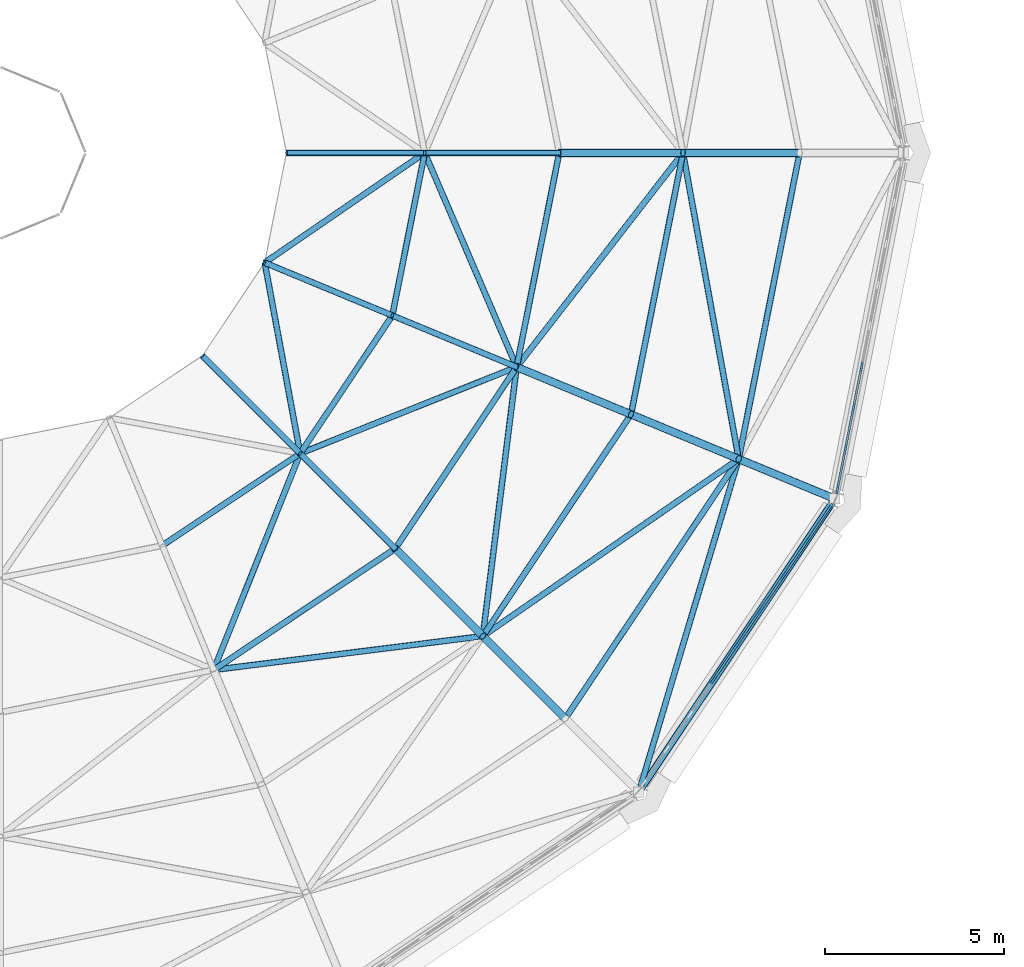
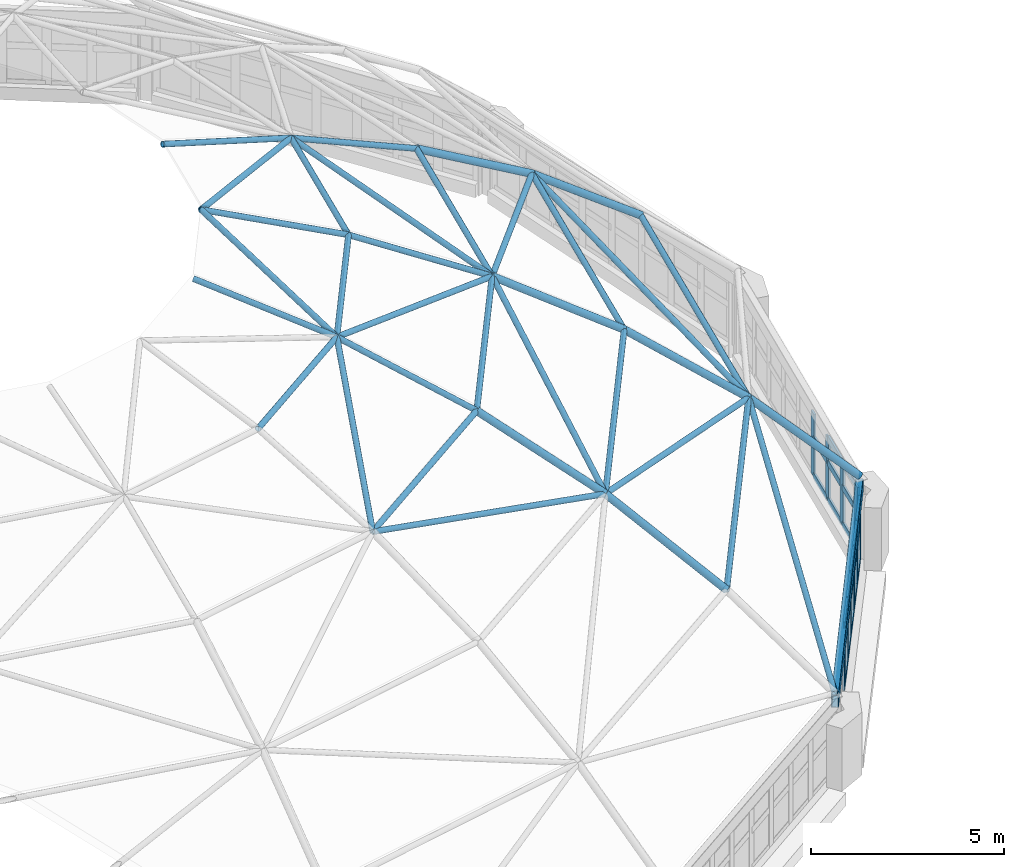
# One storey, part 21 of 68: 67 members, 1 beam, 2 elements without a shape of their own.
"""IFC4 building model written with IfcOpenShell, lengths in metres."""

from ifc_helpers import new_model, si_unit, direction, frame, origin, origin_2d, place, context, subcontext, project, spatial, rectangle, hollow_rectangle, hollow_circle, extrude, material, material_profile, profile_set, type_object, element, aggregate, save


model = new_model("IFC4")

# Units and contexts
model_context = context("Model", 3, precision=1e-05, world=origin(), true_north=direction((0.0, 1.0)))
body_context = subcontext(model_context, "Body", "Model", "MODEL_VIEW")
ifc_project = project(units=[si_unit("LENGTHUNIT", "METRE"), si_unit("AREAUNIT", "SQUARE_METRE"), si_unit("VOLUMEUNIT", "CUBIC_METRE"), si_unit("PLANEANGLEUNIT", "RADIAN"), si_unit("MASSUNIT", "GRAM", prefix="KILO")], contexts=[model_context])

# Site, building, storey
site_placement = place(None, origin())
site = spatial("IfcSite", under=ifc_project, at=site_placement, CompositionType="ELEMENT")
building_placement = place(site_placement, origin())
building = spatial("IfcBuilding", under=site, at=building_placement, Name="Kupolbacken Congress Centre", CompositionType="ELEMENT")
storey_placement = place(building_placement, frame((0.0, 0.0, 25.199951171875)))
storey = spatial("IfcBuildingStorey", under=building, at=storey_placement, Name="L07", CompositionType="ELEMENT", Elevation=25.199951171875)

# Beam
ifc_material_1 = material(Name="Steel S355", Category="steel")
ifc_material_profile_1 = material_profile(ifc_material_1, hollow_rectangle(XDim=0.199951171875, YDim=0.39990234375, WallThickness=0.012451171875, InnerFilletRadius=0.012451171875, OuterFilletRadius=0.018798828125, at=origin_2d()), Name="RHS 400 x 200 x 12.5")
ifc_profile_set_1 = profile_set([ifc_material_profile_1], Name="Steel S355")
beam_type = type_object("IfcBeamType", Name="B19 ring beam RHS 400 x 200 x 12.5", PredefinedType="BEAM", material=ifc_profile_set_1)
beam_placement = place(storey_placement, frame((61.030029296875, 68.597412109375, 2.590087890625), z_axis=(0.555580130477, 0.831462998948, 0.0), x_axis=(-0.831462998948, 0.555580130477, 0.0)))
element("IfcBeam", 1, at=beam_placement, inside=storey, type_object=beam_type, Name="DM/RB/15", PredefinedType="BEAM", context=body_context, shape_type="SweptSolid", body=[
    extrude(hollow_rectangle(XDim=0.199951171875, YDim=0.39990234375, WallThickness=0.012451171875, InnerFilletRadius=0.012451171875, OuterFilletRadius=0.018798828125, at=origin_2d()), origin(), (0.0, 0.0, 1.0), 9.792724609375),
])

# Members
ifc_material_2 = material(Name="Steel S355", Category="steel")
ifc_material_profile_2 = material_profile(ifc_material_2, hollow_circle(Radius=0.109619140625, WallThickness=0.010009765625, at=origin_2d()), Name="CHS 219.1 x 10")
ifc_profile_set_2 = profile_set([ifc_material_profile_2], Name="Steel S355")
member_type_1 = type_object("IfcMemberType", Name="M15 dome rib CHS 219.1 x 10", PredefinedType="BRACE", material=ifc_profile_set_2)
member_1_placement = place(storey_placement, frame((66.481689453125, 76.75634765625, 2.86279296875), z_axis=(-0.671844865625, 0.278312990626, 0.686415585328), x_axis=(-0.382713638863, -0.923867019992, 0.0)))
element("IfcMember", 2, at=member_1_placement, inside=storey, type_object=member_type_1, Name="DM/RIB01-16", PredefinedType="BRACE", context=body_context, shape_type="SweptSolid", body=[
    extrude(hollow_circle(Radius=0.109619140625, WallThickness=0.010009765625, at=origin_2d()), origin(), (0.0, 0.0, 1.0), 3.98779296875),
])
for number, where, z_axis, x_axis, name in (
    (3, (65.5, 86.39990234375, 5.60009765625), (-0.798529155013, 0.0, 0.601956135108), (0.0, -1.0, 0.0), "DM/RIB02-01"),
    (4, (58.968505859375, 70.631591796875, 5.60009765625), (-0.564645261565, 0.564645261565, 0.601956358207), (-0.707106781187, -0.707106781187, 0.0), "DM/RIB02-15"),
    (5, (63.802490234375, 77.8662109375, 5.60009765625), (-0.737757183108, 0.305564280897, 0.601950836043), (-0.382656976802, -0.92389049032, 0.0), "DM/RIB02-16"),
):
    element("IfcMember", number, at=place(storey_placement, frame(where, z_axis=z_axis, x_axis=x_axis)), inside=storey, type_object=member_type_1, Name=name, PredefinedType="BRACE", context=body_context, shape_type="SweptSolid", body=[
        extrude(hollow_circle(Radius=0.109619140625, WallThickness=0.010009765625, at=origin_2d()), origin(), (0.0, 0.0, 1.0), 4.070068359375),
    ])
for number, where, z_axis, x_axis, name in (
    (6, (62.25, 86.39990234375, 8.050048828125), (-0.865136921549, 0.0, 0.501535748449), (0.0, -1.0, 0.0), "DM/RIB03-01"),
    (7, (56.67041015625, 72.9296875, 8.050048828125), (-0.611742244633, 0.611742244633, 0.501540479187), (-0.707106781187, -0.707106781187, 0.0), "DM/RIB03-15"),
    (8, (60.7998046875, 79.10986328125, 8.050048828125), (-0.799269872687, 0.331095478475, 0.50154107982), (-0.382710127237, -0.923868474682, 0.0), "DM/RIB03-16"),
):
    element("IfcMember", number, at=place(storey_placement, frame(where, z_axis=z_axis, x_axis=x_axis)), inside=storey, type_object=member_type_1, Name=name, PredefinedType="BRACE", context=body_context, shape_type="SweptSolid", body=[
        extrude(hollow_circle(Radius=0.109619140625, WallThickness=0.010009765625, at=origin_2d()), origin(), (0.0, 0.0, 1.0), 3.98779296875),
    ])
ifc_material_3 = material(Name="Steel S355", Category="steel")
ifc_material_profile_3 = material_profile(ifc_material_3, hollow_circle(Radius=0.084228515625, WallThickness=0.008056640625, at=origin_2d()), Name="CHS 168.3 x 8")
ifc_profile_set_3 = profile_set([ifc_material_profile_3], Name="Steel S355")
member_type_2 = type_object("IfcMemberType", Name="M16 dome rib CHS 168.3 x 8", PredefinedType="BRACE", material=ifc_profile_set_3)
for number, where, z_axis, x_axis, name in (
    (9, (58.800048828125, 86.39990234375, 10.050048828125), (-0.91532381914, 0.0, 0.402718643864), (0.0, -1.0, 0.0), "DM/RIB04-01"),
    (10, (54.23095703125, 75.369140625, 10.050048828125), (-0.647264758158, 0.647205168326, 0.402708086507), (-0.707074229373, -0.707139331502, 0.0), "DM/RIB04-15"),
    (11, (57.612548828125, 80.43017578125, 10.050048828125), (-0.845652822818, 0.350274631282, 0.402714521641), (-0.382677616283, -0.92388194159, 0.0), "DM/RIB04-16"),
):
    element("IfcMember", number, at=place(storey_placement, frame(where, z_axis=z_axis, x_axis=x_axis)), inside=storey, type_object=member_type_2, Name=name, PredefinedType="BRACE", context=body_context, shape_type="SweptSolid", body=[
        extrude(hollow_circle(Radius=0.084228515625, WallThickness=0.008056640625, at=origin_2d()), origin(), (0.0, 0.0, 1.0), 4.096923828125),
    ])
member_2_placement = place(storey_placement, frame((55.050048828125, 86.39990234375, 11.699951171875), z_axis=(-0.958160086382, 0.0, 0.286232857765), x_axis=(0.0, -1.0, 0.0)))
element("IfcMember", 12, at=member_2_placement, inside=storey, type_object=member_type_2, Name="DM/RIB05-01", PredefinedType="BRACE", context=body_context, shape_type="SweptSolid", body=[
    extrude(hollow_circle(Radius=0.084228515625, WallThickness=0.008056640625, at=origin_2d()), origin(), (0.0, 0.0, 1.0), 4.018310546875),
])
for number, where, z_axis, x_axis, name in (
    (13, (51.5791015625, 78.020751953125, 11.699951171875), (-0.677488256069, 0.677549017347, 0.286246383349), (-0.707138487878, -0.707075073073, 0.0), "DM/RIB05-15"),
    (14, (54.14794921875, 81.865234375, 11.699951171875), (-0.885215241603, 0.366687760524, 0.28624126592), (-0.382700894154, -0.923872299408, 0.0), "DM/RIB05-16"),
):
    element("IfcMember", number, at=place(storey_placement, frame(where, z_axis=z_axis, x_axis=x_axis)), inside=storey, type_object=member_type_2, Name=name, PredefinedType="BRACE", context=body_context, shape_type="SweptSolid", body=[
        extrude(hollow_circle(Radius=0.084228515625, WallThickness=0.008056640625, at=origin_2d()), origin(), (0.0, 0.0, 1.0), 4.01806640625),
    ])
member_3_placement = place(storey_placement, frame((61.01904296875, 68.580810546875, 2.86279296875), z_axis=(0.276336050496, 0.921839225376, 0.271755091497), x_axis=(-0.957887956572, 0.287142234188, 0.0)))
element("IfcMember", 15, at=member_3_placement, inside=storey, type_object=member_type_2, Name="DM/DIA01-15", PredefinedType="BRACE", context=body_context, shape_type="SweptSolid", body=[
    extrude(hollow_circle(Radius=0.084228515625, WallThickness=0.008056640625, at=origin_2d()), origin(), (0.0, 0.0, 1.0), 10.07275390625),
])
for number, where, z_axis, x_axis, name in (
    (16, (56.67041015625, 72.9296875, 8.050048828125), (0.791291238363, 0.547698245292, -0.271817600964), (-0.569126549041, 0.822249944467, 0.0), "DM/DIA02-15"),
    (17, (63.802490234375, 77.8662109375, 5.60009765625), (-0.172247769717, 0.946807444988, 0.271820470059), (-0.983851440404, -0.178986991747, 0.0), "DM/DIA02-16"),
):
    element("IfcMember", number, at=place(storey_placement, frame(where, z_axis=z_axis, x_axis=x_axis)), inside=storey, type_object=member_type_2, Name=name, PredefinedType="BRACE", context=body_context, shape_type="SweptSolid", body=[
        extrude(hollow_circle(Radius=0.084228515625, WallThickness=0.008056640625, at=origin_2d()), origin(), (0.0, 0.0, 1.0), 9.01318359375),
    ])
for number, where, z_axis, x_axis, name in (
    (18, (49.169921875, 71.987548828125, 10.050048828125), (0.959200155943, 0.120485430694, -0.255770056555), (-0.124630949322, 0.99220316794, 0.0), "DM/DIA03-14"),
    (19, (56.67041015625, 72.9296875, 8.050048828125), (0.120485430694, 0.959200155943, 0.255770056555), (-0.99220316794, 0.124630949322, 0.0), "DM/DIA03-15"),
):
    element("IfcMember", number, at=place(storey_placement, frame(where, z_axis=z_axis, x_axis=x_axis)), inside=storey, type_object=member_type_2, Name=name, PredefinedType="BRACE", context=body_context, shape_type="SweptSolid", body=[
        extrude(hollow_circle(Radius=0.084228515625, WallThickness=0.008056640625, at=origin_2d()), origin(), (0.0, 0.0, 1.0), 7.819580078125),
    ])
member_4_placement = place(storey_placement, frame((57.612548828125, 80.43017578125, 10.050048828125), z_axis=(0.593067175344, 0.76344714775, -0.255772903418), x_axis=(-0.789715539593, 0.613473199516, 0.0)))
element("IfcMember", 20, at=member_4_placement, inside=storey, type_object=member_type_2, Name="DM/DIA03-16", PredefinedType="BRACE", context=body_context, shape_type="SweptSolid", body=[
    extrude(hollow_circle(Radius=0.084228515625, WallThickness=0.008056640625, at=origin_2d()), origin(), (0.0, 0.0, 1.0), 7.8193359375),
])
member_5_placement = place(storey_placement, frame((49.169921875, 71.987548828125, 10.050048828125), z_axis=(0.359435502637, 0.900118579364, 0.246155768831), x_axis=(-0.928694240238, 0.370846340347, 0.0)))
element("IfcMember", 21, at=member_5_placement, inside=storey, type_object=member_type_2, Name="DM/DIA04-14", PredefinedType="BRACE", context=body_context, shape_type="SweptSolid", body=[
    extrude(hollow_circle(Radius=0.084228515625, WallThickness=0.008056640625, at=origin_2d()), origin(), (0.0, 0.0, 1.0), 6.70263671875),
])
member_6_placement = place(storey_placement, frame((51.5791015625, 78.020751953125, 11.699951171875), z_axis=(0.900113707655, 0.359455435635, -0.246144476038), x_axis=(-0.370865808753, 0.928686465874, 0.0)))
element("IfcMember", 22, at=member_6_placement, inside=storey, type_object=member_type_2, Name="DM/DIA04-15", PredefinedType="BRACE", context=body_context, shape_type="SweptSolid", body=[
    extrude(hollow_circle(Radius=0.084228515625, WallThickness=0.008056640625, at=origin_2d()), origin(), (0.0, 0.0, 1.0), 6.702880859375),
])
member_7_placement = place(storey_placement, frame((57.612548828125, 80.43017578125, 10.050048828125), z_axis=(-0.38230848602, 0.890644731342, 0.246154796925), x_axis=(-0.91891939619, -0.394445361623, 0.0)))
element("IfcMember", 23, at=member_7_placement, inside=storey, type_object=member_type_2, Name="DM/DIA04-16", PredefinedType="BRACE", context=body_context, shape_type="SweptSolid", body=[
    extrude(hollow_circle(Radius=0.084228515625, WallThickness=0.008056640625, at=origin_2d()), origin(), (0.0, 0.0, 1.0), 6.70263671875),
])
member_8_placement = place(storey_placement, frame((51.5791015625, 78.020751953125, 11.699951171875), z_axis=(-0.178674668833, 0.96167324846, 0.207990206294), x_axis=(-0.983174378952, -0.182669484511, 0.0)))
element("IfcMember", 24, at=member_8_placement, inside=storey, type_object=member_type_2, Name="DM/DIA05-15", PredefinedType="BRACE", context=body_context, shape_type="SweptSolid", body=[
    extrude(hollow_circle(Radius=0.084228515625, WallThickness=0.008056640625, at=origin_2d()), origin(), (0.0, 0.0, 1.0), 5.52978515625),
])
member_9_placement = place(storey_placement, frame((50.591064453125, 83.338623046875, 12.85009765625), z_axis=(0.806380220588, 0.553613753063, -0.207997000613), x_axis=(-0.565992308396, 0.824410520819, 0.0)))
element("IfcMember", 25, at=member_9_placement, inside=storey, type_object=member_type_2, Name="DM/DIA05-16", PredefinedType="BRACE", context=body_context, shape_type="SweptSolid", body=[
    extrude(hollow_circle(Radius=0.084228515625, WallThickness=0.008056640625, at=origin_2d()), origin(), (0.0, 0.0, 1.0), 5.529541015625),
])
ifc_material_4 = material(Name="Steel S355", Category="steel")
ifc_material_profile_4 = material_profile(ifc_material_4, hollow_circle(Radius=0.084228515625, WallThickness=0.008056640625, at=origin_2d()), Name="CHS 168.3 x 8")
ifc_profile_set_4 = profile_set([ifc_material_profile_4], Name="Steel S355")
member_type_3 = type_object("IfcMemberType", Name="M17 dome ring CHS 168.3 x 8", PredefinedType="BRACE", material=ifc_profile_set_4)
for number, where, z_axis, x_axis, name in (
    (26, (58.968505859375, 70.631591796875, 5.60009765625), (0.555567564243, 0.831471395516, 0.0), (-0.831471395516, 0.555567564243, 0.0), "DM/RNG01-15"),
    (27, (63.802490234375, 77.8662109375, 5.60009765625), (0.195096182119, 0.980784114738, 0.0), (-0.980784114738, 0.195096182119, 0.0), "DM/RNG01-16"),
):
    element("IfcMember", number, at=place(storey_placement, frame(where, z_axis=z_axis, x_axis=x_axis)), inside=storey, type_object=member_type_3, Name=name, PredefinedType="BRACE", context=body_context, shape_type="SweptSolid", body=[
        extrude(hollow_circle(Radius=0.084228515625, WallThickness=0.008056640625, at=origin_2d()), origin(), (0.0, 0.0, 1.0), 8.700927734375),
    ])
for number, where, z_axis, x_axis, name in (
    (28, (56.67041015625, 72.9296875, 8.050048828125), (0.555564010073, 0.831473770309, 0.0), (-0.831473770309, 0.555564010073, 0.0), "DM/RNG02-15"),
    (29, (60.7998046875, 79.10986328125, 8.050048828125), (0.195105384075, 0.980782284253, 0.0), (-0.980782284253, 0.195105384075, 0.0), "DM/RNG02-16"),
):
    element("IfcMember", number, at=place(storey_placement, frame(where, z_axis=z_axis, x_axis=x_axis)), inside=storey, type_object=member_type_3, Name=name, PredefinedType="BRACE", context=body_context, shape_type="SweptSolid", body=[
        extrude(hollow_circle(Radius=0.084228515625, WallThickness=0.008056640625, at=origin_2d()), origin(), (0.0, 0.0, 1.0), 7.432861328125),
    ])
for number, where, z_axis, x_axis, name in (
    (30, (49.169921875, 71.987548828125, 10.050048828125), (0.831475970497, 0.555560717191, 0.0), (-0.555560717191, 0.831475970497, 0.0), "DM/RNG03-14"),
    (31, (54.23095703125, 75.369140625, 10.050048828125), (0.555560717191, 0.831475970497, 0.0), (-0.831475970497, 0.555560717191, 0.0), "DM/RNG03-15"),
):
    element("IfcMember", number, at=place(storey_placement, frame(where, z_axis=z_axis, x_axis=x_axis)), inside=storey, type_object=member_type_3, Name=name, PredefinedType="BRACE", context=body_context, shape_type="SweptSolid", body=[
        extrude(hollow_circle(Radius=0.084228515625, WallThickness=0.008056640625, at=origin_2d()), origin(), (0.0, 0.0, 1.0), 6.0869140625),
    ])
member_10_placement = place(storey_placement, frame((57.612548828125, 80.43017578125, 10.050048828125), z_axis=(0.195097837889, 0.980783785373, 0.0), x_axis=(-0.980783785373, 0.195097837889, 0.0)))
element("IfcMember", 32, at=member_10_placement, inside=storey, type_object=member_type_3, Name="DM/RNG03-16", PredefinedType="BRACE", context=body_context, shape_type="SweptSolid", body=[
    extrude(hollow_circle(Radius=0.084228515625, WallThickness=0.008056640625, at=origin_2d()), origin(), (0.0, 0.0, 1.0), 6.086669921875),
])
member_11_placement = place(storey_placement, frame((47.73486328125, 75.4521484375, 11.699951171875), z_axis=(0.831473047603, 0.555565091695, 0.0), x_axis=(-0.555565091695, 0.831473047603, 0.0)))
element("IfcMember", 33, at=member_11_placement, inside=storey, type_object=member_type_3, Name="DM/RNG04-14", PredefinedType="BRACE", context=body_context, shape_type="SweptSolid", body=[
    extrude(hollow_circle(Radius=0.084228515625, WallThickness=0.008056640625, at=origin_2d()), origin(), (0.0, 0.0, 1.0), 4.623291015625),
])
member_12_placement = place(storey_placement, frame((51.5791015625, 78.020751953125, 11.699951171875), z_axis=(0.555577204826, 0.831464953848, 0.0), x_axis=(-0.831464953848, 0.555577204826, 0.0)))
element("IfcMember", 34, at=member_12_placement, inside=storey, type_object=member_type_3, Name="DM/RNG04-15", PredefinedType="BRACE", context=body_context, shape_type="SweptSolid", body=[
    extrude(hollow_circle(Radius=0.084228515625, WallThickness=0.008056640625, at=origin_2d()), origin(), (0.0, 0.0, 1.0), 4.623779296875),
])
member_13_placement = place(storey_placement, frame((54.14794921875, 81.865234375, 11.699951171875), z_axis=(0.195110725431, 0.980781221691, 0.0), x_axis=(-0.980781221691, 0.195110725431, 0.0)))
element("IfcMember", 35, at=member_13_placement, inside=storey, type_object=member_type_3, Name="DM/RNG04-16", PredefinedType="BRACE", context=body_context, shape_type="SweptSolid", body=[
    extrude(hollow_circle(Radius=0.084228515625, WallThickness=0.008056640625, at=origin_2d()), origin(), (0.0, 0.0, 1.0), 4.62353515625),
])

# Curtain wall, members
ifc_material_5 = material(Name="Aluminium mullion-transom frame with glass", Category="aluminium")
curtain_wall_type = type_object("IfcCurtainWallType", Name="CW3 curtain wall 9830x3600", PredefinedType="NOTDEFINED", material=ifc_material_5)
curtain_wall_1_placement = place(storey_placement, origin())
curtain_wall_1 = element("IfcCurtainWall", 36, at=curtain_wall_1_placement, inside=storey, type_object=curtain_wall_type, Name="E/P/drum/cw/L07/06", PredefinedType="NOTDEFINED")
ifc_material_6 = material(Name="Aluminium alloy", Category="aluminium")
ifc_material_profile_5 = material_profile(ifc_material_6, rectangle(XDim=0.06005859375, YDim=0.25, at=origin_2d()), Name="60 x 250")
ifc_profile_set_5 = profile_set([ifc_material_profile_5], Name="Aluminium alloy")
member_type_4 = type_object("IfcMemberType", Name="MU3 mullion 60x250", PredefinedType="MULLION", material=ifc_profile_set_5)
member_14_placement = place(storey_placement, frame((63.097412109375, 71.7080078125, 0.400146484375), z_axis=(0.0, 0.0, 1.0), x_axis=(-0.82890762338, 0.559385512775, 0.0)))
member_14 = element("IfcMember", 37, at=member_14_placement, type_object=member_type_4, Name="CW3 mullion 4", PredefinedType="MULLION", context=body_context, shape_type="SweptSolid", body=[
    extrude(rectangle(XDim=0.06005859375, YDim=0.25, at=origin_2d()), origin(), (0.0, 0.0, 1.0), 1.989990234375),
])
member_15_placement = place(storey_placement, frame((63.75, 72.675048828125, 0.400146484375), z_axis=(0.0, 0.0, 1.0), x_axis=(-0.82890762338, 0.559385512775, 0.0)))
member_15 = element("IfcMember", 38, at=member_15_placement, type_object=member_type_4, Name="CW3 mullion 5", PredefinedType="MULLION", context=body_context, shape_type="SweptSolid", body=[
    extrude(rectangle(XDim=0.06005859375, YDim=0.25, at=origin_2d()), origin(), (0.0, 0.0, 1.0), 1.989990234375),
])
member_16_placement = place(storey_placement, frame((64.402587890625, 73.641845703125, 0.400146484375), z_axis=(0.0, 0.0, 1.0), x_axis=(-0.82890762338, 0.559385512775, 0.0)))
member_16 = element("IfcMember", 39, at=member_16_placement, type_object=member_type_4, Name="CW3 mullion 6", PredefinedType="MULLION", context=body_context, shape_type="SweptSolid", body=[
    extrude(rectangle(XDim=0.06005859375, YDim=0.25, at=origin_2d()), origin(), (0.0, 0.0, 1.0), 1.989990234375),
])
member_17_placement = place(storey_placement, frame((65.05517578125, 74.60888671875, 0.400146484375), z_axis=(0.0, 0.0, 1.0), x_axis=(-0.82890762338, 0.559385512775, 0.0)))
member_17 = element("IfcMember", 40, at=member_17_placement, type_object=member_type_4, Name="CW3 mullion 7", PredefinedType="MULLION", context=body_context, shape_type="SweptSolid", body=[
    extrude(rectangle(XDim=0.06005859375, YDim=0.25, at=origin_2d()), origin(), (0.0, 0.0, 1.0), 1.989990234375),
])
member_18_placement = place(storey_placement, frame((65.70751953125, 75.575927734375, 0.400146484375), z_axis=(0.0, 0.0, 1.0), x_axis=(-0.82890762338, 0.559385512775, 0.0)))
member_18 = element("IfcMember", 41, at=member_18_placement, type_object=member_type_4, Name="CW3 mullion 8", PredefinedType="MULLION", context=body_context, shape_type="SweptSolid", body=[
    extrude(rectangle(XDim=0.06005859375, YDim=0.25, at=origin_2d()), origin(), (0.0, 0.0, 1.0), 1.989990234375),
])
member_19_placement = place(storey_placement, frame((66.34326171875, 76.517822265625, 0.400146484375), z_axis=(0.0, 0.0, 1.0), x_axis=(-0.82890762338, 0.559385512775, 0.0)))
member_19 = element("IfcMember", 42, at=member_19_placement, type_object=member_type_4, Name="CW3 mullion 9", PredefinedType="MULLION", context=body_context, shape_type="SweptSolid", body=[
    extrude(rectangle(XDim=0.06005859375, YDim=0.25, at=origin_2d()), origin(), (0.0, 0.0, 1.0), 1.989990234375),
])

curtain_wall_2_placement = place(storey_placement, origin())
curtain_wall_2 = element("IfcCurtainWall", 43, at=curtain_wall_2_placement, inside=storey, type_object=curtain_wall_type, Name="E/P/drum/cw/L07/07", PredefinedType="NOTDEFINED")
member_20_placement = place(storey_placement, frame((66.55419921875, 77.024658203125, 0.400146484375), z_axis=(0.0, 0.0, 1.0), x_axis=(-0.981162875481, 0.193182327812, 0.0)))
member_20 = element("IfcMember", 44, at=member_20_placement, type_object=member_type_4, Name="CW3 mullion 1", PredefinedType="MULLION", context=body_context, shape_type="SweptSolid", body=[
    extrude(rectangle(XDim=0.06005859375, YDim=0.25, at=origin_2d()), origin(), (0.0, 0.0, 1.0), 1.989990234375),
])
member_21_placement = place(storey_placement, frame((66.773681640625, 78.14013671875, 0.400146484375), z_axis=(0.0, 0.0, 1.0), x_axis=(-0.981162875481, 0.193182327812, 0.0)))
member_21 = element("IfcMember", 45, at=member_21_placement, type_object=member_type_4, Name="CW3 mullion 2", PredefinedType="MULLION", context=body_context, shape_type="SweptSolid", body=[
    extrude(rectangle(XDim=0.06005859375, YDim=0.25, at=origin_2d()), origin(), (0.0, 0.0, 1.0), 1.989990234375),
])
member_22_placement = place(storey_placement, frame((66.999267578125, 79.28515625, 0.400146484375), z_axis=(0.0, 0.0, 1.0), x_axis=(-0.981162875481, 0.193182327812, 0.0)))
member_22 = element("IfcMember", 46, at=member_22_placement, type_object=member_type_4, Name="CW3 mullion 3", PredefinedType="MULLION", context=body_context, shape_type="SweptSolid", body=[
    extrude(rectangle(XDim=0.06005859375, YDim=0.25, at=origin_2d()), origin(), (0.0, 0.0, 1.0), 1.989990234375),
])
member_23_placement = place(storey_placement, frame((67.224609375, 80.43017578125, 0.400146484375), z_axis=(0.0, 0.0, 1.0), x_axis=(-0.981162875481, 0.193182327812, 0.0)))
member_23 = element("IfcMember", 47, at=member_23_placement, type_object=member_type_4, Name="CW3 mullion 4", PredefinedType="MULLION", context=body_context, shape_type="SweptSolid", body=[
    extrude(rectangle(XDim=0.06005859375, YDim=0.25, at=origin_2d()), origin(), (0.0, 0.0, 1.0), 1.989990234375),
])

# Member
ifc_material_7 = material(Name="Aluminium alloy", Category="aluminium")
ifc_material_profile_6 = material_profile(ifc_material_7, rectangle(XDim=0.06005859375, YDim=0.199951171875, at=origin_2d()), Name="60 x 200")
ifc_profile_set_6 = profile_set([ifc_material_profile_6], Name="Aluminium alloy")
member_type_5 = type_object("IfcMemberType", Name="TR3 transom 60x200", PredefinedType="MULLION", material=ifc_profile_set_6)
member_24_placement = place(storey_placement, frame((63.1142578125, 71.73291015625, 0.429931640625), z_axis=(0.559325057342, 0.828948418317, 0.0), x_axis=(-0.828948418317, 0.559325057342, 0.0)))
member_24 = element("IfcMember", 48, at=member_24_placement, type_object=member_type_5, Name="CW3 transom 4.1", PredefinedType="MULLION", context=body_context, shape_type="SweptSolid", body=[
    extrude(rectangle(XDim=0.06005859375, YDim=0.199951171875, at=origin_2d()), origin(), (0.0, 0.0, 1.0), 1.1064453125),
])

member_25_placement = place(storey_placement, frame((63.1142578125, 71.73291015625, 1.60009765625), z_axis=(0.559325057342, 0.828948418317, 0.0), x_axis=(-0.828948418317, 0.559325057342, 0.0)))
member_25 = element("IfcMember", 49, at=member_25_placement, type_object=member_type_5, Name="CW3 transom 4.2", PredefinedType="MULLION", context=body_context, shape_type="SweptSolid", body=[
    extrude(rectangle(XDim=0.06005859375, YDim=0.199951171875, at=origin_2d()), origin(), (0.0, 0.0, 1.0), 1.1064453125),
])

member_26_placement = place(storey_placement, frame((63.1142578125, 71.73291015625, 2.360107421875), z_axis=(0.559325057342, 0.828948418317, 0.0), x_axis=(-0.828948418317, 0.559325057342, 0.0)))
member_26 = element("IfcMember", 50, at=member_26_placement, type_object=member_type_5, Name="CW3 transom 4.3", PredefinedType="MULLION", context=body_context, shape_type="SweptSolid", body=[
    extrude(rectangle(XDim=0.06005859375, YDim=0.199951171875, at=origin_2d()), origin(), (0.0, 0.0, 1.0), 1.1064453125),
])

member_27_placement = place(storey_placement, frame((63.766845703125, 72.699951171875, 0.429931640625), z_axis=(0.559325057342, 0.828948418317, 0.0), x_axis=(-0.828948418317, 0.559325057342, 0.0)))
member_27 = element("IfcMember", 51, at=member_27_placement, type_object=member_type_5, Name="CW3 transom 5.1", PredefinedType="MULLION", context=body_context, shape_type="SweptSolid", body=[
    extrude(rectangle(XDim=0.06005859375, YDim=0.199951171875, at=origin_2d()), origin(), (0.0, 0.0, 1.0), 1.1064453125),
])

member_28_placement = place(storey_placement, frame((63.766845703125, 72.699951171875, 1.60009765625), z_axis=(0.559325057342, 0.828948418317, 0.0), x_axis=(-0.828948418317, 0.559325057342, 0.0)))
member_28 = element("IfcMember", 52, at=member_28_placement, type_object=member_type_5, Name="CW3 transom 5.2", PredefinedType="MULLION", context=body_context, shape_type="SweptSolid", body=[
    extrude(rectangle(XDim=0.06005859375, YDim=0.199951171875, at=origin_2d()), origin(), (0.0, 0.0, 1.0), 1.1064453125),
])

member_29_placement = place(storey_placement, frame((63.766845703125, 72.699951171875, 2.360107421875), z_axis=(0.559325057342, 0.828948418317, 0.0), x_axis=(-0.828948418317, 0.559325057342, 0.0)))
member_29 = element("IfcMember", 53, at=member_29_placement, type_object=member_type_5, Name="CW3 transom 5.3", PredefinedType="MULLION", context=body_context, shape_type="SweptSolid", body=[
    extrude(rectangle(XDim=0.06005859375, YDim=0.199951171875, at=origin_2d()), origin(), (0.0, 0.0, 1.0), 1.1064453125),
])

member_30_placement = place(storey_placement, frame((64.41943359375, 73.666748046875, 0.429931640625), z_axis=(0.559325057342, 0.828948418317, 0.0), x_axis=(-0.828948418317, 0.559325057342, 0.0)))
member_30 = element("IfcMember", 54, at=member_30_placement, type_object=member_type_5, Name="CW3 transom 6.1", PredefinedType="MULLION", context=body_context, shape_type="SweptSolid", body=[
    extrude(rectangle(XDim=0.06005859375, YDim=0.199951171875, at=origin_2d()), origin(), (0.0, 0.0, 1.0), 1.1064453125),
])

member_31_placement = place(storey_placement, frame((64.41943359375, 73.666748046875, 1.60009765625), z_axis=(0.559325057342, 0.828948418317, 0.0), x_axis=(-0.828948418317, 0.559325057342, 0.0)))
member_31 = element("IfcMember", 55, at=member_31_placement, type_object=member_type_5, Name="CW3 transom 6.2", PredefinedType="MULLION", context=body_context, shape_type="SweptSolid", body=[
    extrude(rectangle(XDim=0.06005859375, YDim=0.199951171875, at=origin_2d()), origin(), (0.0, 0.0, 1.0), 1.1064453125),
])

member_32_placement = place(storey_placement, frame((64.41943359375, 73.666748046875, 2.360107421875), z_axis=(0.559325057342, 0.828948418317, 0.0), x_axis=(-0.828948418317, 0.559325057342, 0.0)))
member_32 = element("IfcMember", 56, at=member_32_placement, type_object=member_type_5, Name="CW3 transom 6.3", PredefinedType="MULLION", context=body_context, shape_type="SweptSolid", body=[
    extrude(rectangle(XDim=0.06005859375, YDim=0.199951171875, at=origin_2d()), origin(), (0.0, 0.0, 1.0), 1.1064453125),
])

member_33_placement = place(storey_placement, frame((65.07177734375, 74.6337890625, 0.429931640625), z_axis=(0.559476643983, 0.8288461165, 0.0), x_axis=(-0.8288461165, 0.559476643983, 0.0)))
member_33 = element("IfcMember", 57, at=member_33_placement, type_object=member_type_5, Name="CW3 transom 7.1", PredefinedType="MULLION", context=body_context, shape_type="SweptSolid", body=[
    extrude(rectangle(XDim=0.06005859375, YDim=0.199951171875, at=origin_2d()), origin(), (0.0, 0.0, 1.0), 1.106689453125),
])

member_34_placement = place(storey_placement, frame((65.07177734375, 74.6337890625, 1.60009765625), z_axis=(0.559476643983, 0.8288461165, 0.0), x_axis=(-0.8288461165, 0.559476643983, 0.0)))
member_34 = element("IfcMember", 58, at=member_34_placement, type_object=member_type_5, Name="CW3 transom 7.2", PredefinedType="MULLION", context=body_context, shape_type="SweptSolid", body=[
    extrude(rectangle(XDim=0.06005859375, YDim=0.199951171875, at=origin_2d()), origin(), (0.0, 0.0, 1.0), 1.106689453125),
])

member_35_placement = place(storey_placement, frame((65.07177734375, 74.6337890625, 2.360107421875), z_axis=(0.559476643983, 0.8288461165, 0.0), x_axis=(-0.8288461165, 0.559476643983, 0.0)))
member_35 = element("IfcMember", 59, at=member_35_placement, type_object=member_type_5, Name="CW3 transom 7.3", PredefinedType="MULLION", context=body_context, shape_type="SweptSolid", body=[
    extrude(rectangle(XDim=0.06005859375, YDim=0.199951171875, at=origin_2d()), origin(), (0.0, 0.0, 1.0), 1.106689453125),
])

member_36_placement = place(storey_placement, frame((65.724365234375, 75.6005859375, 0.429931640625), z_axis=(0.559453380842, 0.8288618188, 0.0), x_axis=(-0.8288618188, 0.559453380842, 0.0)))
member_36 = element("IfcMember", 60, at=member_36_placement, type_object=member_type_5, Name="CW3 transom 8.1", PredefinedType="MULLION", context=body_context, shape_type="SweptSolid", body=[
    extrude(rectangle(XDim=0.06005859375, YDim=0.199951171875, at=origin_2d()), origin(), (0.0, 0.0, 1.0), 1.07666015625),
])

member_37_placement = place(storey_placement, frame((65.724365234375, 75.6005859375, 1.60009765625), z_axis=(0.559453380842, 0.8288618188, 0.0), x_axis=(-0.8288618188, 0.559453380842, 0.0)))
member_37 = element("IfcMember", 61, at=member_37_placement, type_object=member_type_5, Name="CW3 transom 8.2", PredefinedType="MULLION", context=body_context, shape_type="SweptSolid", body=[
    extrude(rectangle(XDim=0.06005859375, YDim=0.199951171875, at=origin_2d()), origin(), (0.0, 0.0, 1.0), 1.07666015625),
])

member_38_placement = place(storey_placement, frame((65.724365234375, 75.6005859375, 2.360107421875), z_axis=(0.559453380842, 0.8288618188, 0.0), x_axis=(-0.8288618188, 0.559453380842, 0.0)))
member_38 = element("IfcMember", 62, at=member_38_placement, type_object=member_type_5, Name="CW3 transom 8.3", PredefinedType="MULLION", context=body_context, shape_type="SweptSolid", body=[
    extrude(rectangle(XDim=0.06005859375, YDim=0.199951171875, at=origin_2d()), origin(), (0.0, 0.0, 1.0), 1.07666015625),
])

aggregate(curtain_wall_1, [member_14, member_15, member_16, member_17, member_18, member_19, member_24, member_25, member_26, member_27, member_28, member_29, member_30, member_31, member_32, member_33, member_34, member_35, member_36, member_37, member_38])

member_39_placement = place(storey_placement, frame((66.559814453125, 77.05419921875, 0.429931640625), z_axis=(0.193150665626, 0.981169108955, 0.0), x_axis=(-0.981169108955, 0.193150665626, 0.0)))
member_39 = element("IfcMember", 63, at=member_39_placement, type_object=member_type_5, Name="CW3 transom 1.1", PredefinedType="MULLION", context=body_context, shape_type="SweptSolid", body=[
    extrude(rectangle(XDim=0.06005859375, YDim=0.199951171875, at=origin_2d()), origin(), (0.0, 0.0, 1.0), 1.076904296875),
])

member_40_placement = place(storey_placement, frame((66.559814453125, 77.05419921875, 1.60009765625), z_axis=(0.193150665626, 0.981169108955, 0.0), x_axis=(-0.981169108955, 0.193150665626, 0.0)))
member_40 = element("IfcMember", 64, at=member_40_placement, type_object=member_type_5, Name="CW3 transom 1.2", PredefinedType="MULLION", context=body_context, shape_type="SweptSolid", body=[
    extrude(rectangle(XDim=0.06005859375, YDim=0.199951171875, at=origin_2d()), origin(), (0.0, 0.0, 1.0), 1.076904296875),
])

member_41_placement = place(storey_placement, frame((66.559814453125, 77.05419921875, 2.360107421875), z_axis=(0.193150665626, 0.981169108955, 0.0), x_axis=(-0.981169108955, 0.193150665626, 0.0)))
member_41 = element("IfcMember", 65, at=member_41_placement, type_object=member_type_5, Name="CW3 transom 1.3", PredefinedType="MULLION", context=body_context, shape_type="SweptSolid", body=[
    extrude(rectangle(XDim=0.06005859375, YDim=0.199951171875, at=origin_2d()), origin(), (0.0, 0.0, 1.0), 1.076904296875),
])

member_42_placement = place(storey_placement, frame((66.779541015625, 78.169677734375, 0.429931640625), z_axis=(0.193230739208, 0.981153342462, 0.0), x_axis=(-0.981153342462, 0.193230739208, 0.0)))
member_42 = element("IfcMember", 66, at=member_42_placement, type_object=member_type_5, Name="CW3 transom 2.1", PredefinedType="MULLION", context=body_context, shape_type="SweptSolid", body=[
    extrude(rectangle(XDim=0.06005859375, YDim=0.199951171875, at=origin_2d()), origin(), (0.0, 0.0, 1.0), 1.106689453125),
])

member_43_placement = place(storey_placement, frame((66.779541015625, 78.169677734375, 1.60009765625), z_axis=(0.193230739208, 0.981153342462, 0.0), x_axis=(-0.981153342462, 0.193230739208, 0.0)))
member_43 = element("IfcMember", 67, at=member_43_placement, type_object=member_type_5, Name="CW3 transom 2.2", PredefinedType="MULLION", context=body_context, shape_type="SweptSolid", body=[
    extrude(rectangle(XDim=0.06005859375, YDim=0.199951171875, at=origin_2d()), origin(), (0.0, 0.0, 1.0), 1.106689453125),
])

member_44_placement = place(storey_placement, frame((66.779541015625, 78.169677734375, 2.360107421875), z_axis=(0.193230739208, 0.981153342462, 0.0), x_axis=(-0.981153342462, 0.193230739208, 0.0)))
member_44 = element("IfcMember", 68, at=member_44_placement, type_object=member_type_5, Name="CW3 transom 2.3", PredefinedType="MULLION", context=body_context, shape_type="SweptSolid", body=[
    extrude(rectangle(XDim=0.06005859375, YDim=0.199951171875, at=origin_2d()), origin(), (0.0, 0.0, 1.0), 1.106689453125),
])

member_45_placement = place(storey_placement, frame((67.0048828125, 79.314697265625, 0.429931640625), z_axis=(0.193230739208, 0.981153342462, 0.0), x_axis=(-0.981153342462, 0.193230739208, 0.0)))
member_45 = element("IfcMember", 69, at=member_45_placement, type_object=member_type_5, Name="CW3 transom 3.1", PredefinedType="MULLION", context=body_context, shape_type="SweptSolid", body=[
    extrude(rectangle(XDim=0.06005859375, YDim=0.199951171875, at=origin_2d()), origin(), (0.0, 0.0, 1.0), 1.106689453125),
])

member_46_placement = place(storey_placement, frame((67.0048828125, 79.314697265625, 1.60009765625), z_axis=(0.193230739208, 0.981153342462, 0.0), x_axis=(-0.981153342462, 0.193230739208, 0.0)))
member_46 = element("IfcMember", 70, at=member_46_placement, type_object=member_type_5, Name="CW3 transom 3.2", PredefinedType="MULLION", context=body_context, shape_type="SweptSolid", body=[
    extrude(rectangle(XDim=0.06005859375, YDim=0.199951171875, at=origin_2d()), origin(), (0.0, 0.0, 1.0), 1.106689453125),
])

aggregate(curtain_wall_2, [member_20, member_21, member_22, member_23, member_39, member_40, member_41, member_42, member_43, member_44, member_45, member_46])

save(model, "model.ifc")
